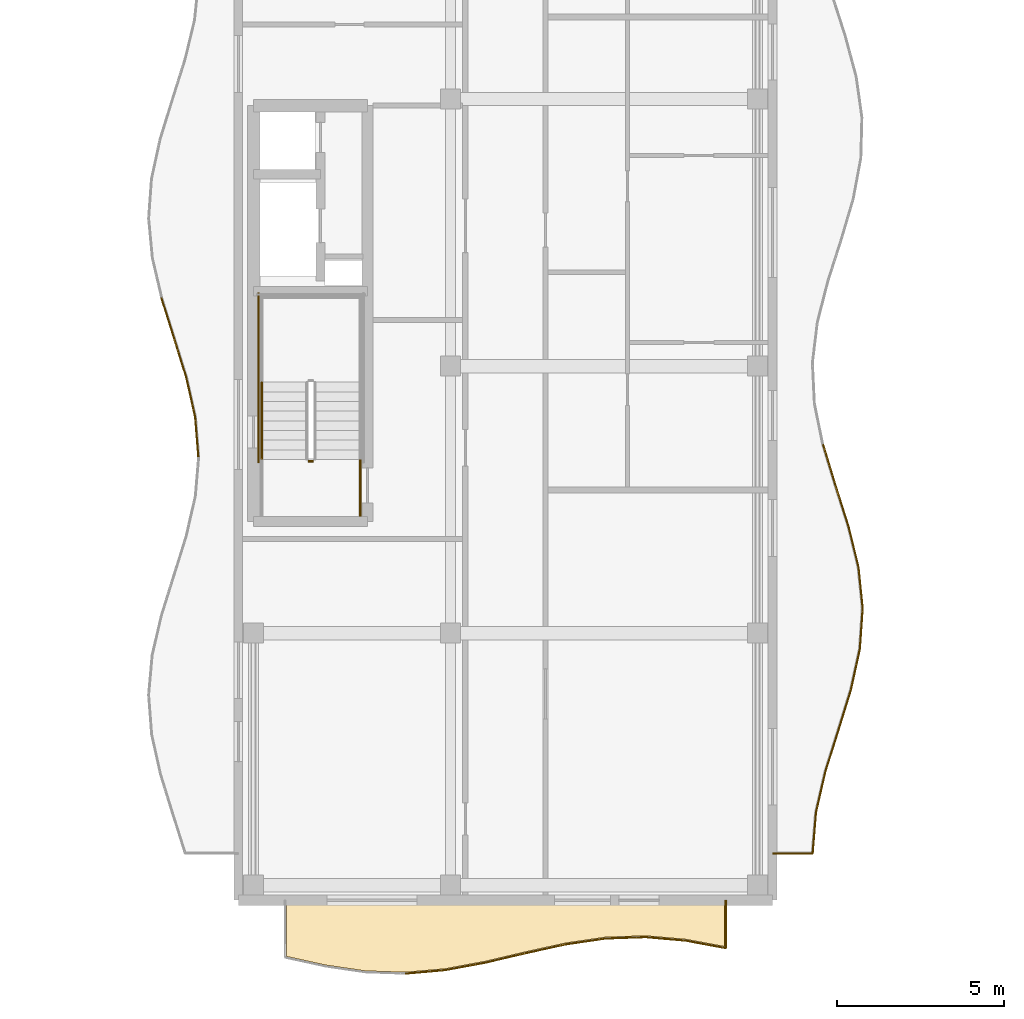
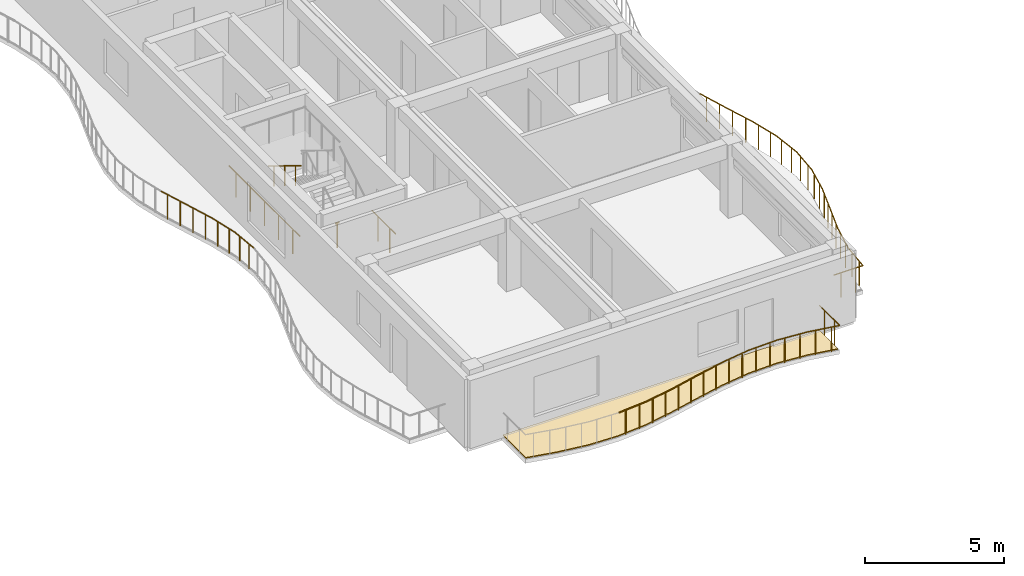
# One storey, part 50 of 72: 28 railings, 1 covering.
"""IFC4 building model written with IfcOpenShell, lengths in metres."""

from ifc_helpers import new_model, si_unit, direction, frame, origin, origin_2d, place, context, subcontext, project, spatial, polyline, circle, outline, extrude, material, layer, layer_set, type_object, element, save


model = new_model("IFC4")

# Units and contexts
model_context = context("Model", 3, precision=1e-05, world=origin(), true_north=direction((0.0, 1.0)))
body_context = subcontext(model_context, "Body", "Model", "MODEL_VIEW")
ifc_project = project(units=[si_unit("LENGTHUNIT", "METRE"), si_unit("AREAUNIT", "SQUARE_METRE"), si_unit("VOLUMEUNIT", "CUBIC_METRE"), si_unit("PLANEANGLEUNIT", "RADIAN"), si_unit("MASSUNIT", "GRAM", prefix="KILO")], contexts=[model_context])

# Site, building, storey
site_placement = place(None, origin())
site = spatial("IfcSite", under=ifc_project, at=site_placement, CompositionType="ELEMENT")
building_placement = place(site_placement, origin())
building = spatial("IfcBuilding", under=site, at=building_placement, Name="Keldmere Railside Commons", CompositionType="ELEMENT")
storey_placement = place(building_placement, frame((0.0, 0.0, 16.9599609375)))
storey = spatial("IfcBuildingStorey", under=building, at=storey_placement, Name="L05", CompositionType="ELEMENT", Elevation=16.9599609375)

# Railings
ifc_material_1 = material(Name="Steel F-24 (S235)", Category="steel")
railing_type_1 = type_object("IfcRailingType", Name="Balcony & Terrace Steel Balustrade 1100", PredefinedType="BALUSTRADE", material=ifc_material_1)
railing_1_placement = place(storey_placement, frame((64.0, 57.39990234375, 0.0)))
element("IfcRailing", 1, at=railing_1_placement, inside=storey, type_object=railing_type_1, Name="GR-1 GRD-L05-1341", PredefinedType="BALUSTRADE", context=body_context, shape_type="SweptSolid", body=[
    extrude(circle(Radius=0.02392578125, at=origin_2d()), frame((0.0, 0.0, 1.076171875), z_axis=(1.0, 0.0, 0.0), x_axis=(0.0, 1.0, 0.0)), (0.0, 0.0, 1.0), 1.2001953125),
    extrude(circle(Radius=0.02099609375, at=origin_2d()), frame((0.300048828125, 0.0, 0.0)), (0.0, 0.0, 1.0), 1.048095703125),
    extrude(circle(Radius=0.02099609375, at=origin_2d()), frame((0.900146484375, 0.0, 0.0)), (0.0, 0.0, 1.0), 1.048095703125),
])
railing_2_placement = place(storey_placement, frame((65.2001953125, 57.39990234375, 0.0)))
element("IfcRailing", 2, at=railing_2_placement, inside=storey, type_object=railing_type_1, Name="GR-1 GRD-L05-1342", PredefinedType="BALUSTRADE", context=body_context, shape_type="SweptSolid", body=[
    extrude(circle(Radius=0.02392578125, at=origin_2d()), frame((0.0, 0.0, 1.076171875), z_axis=(0.08103986276, 0.996710861105, 0.0), x_axis=(-0.996710861105, 0.08103986276, 0.0)), (0.0, 0.0, 1.0), 1.229248046875),
    extrude(circle(Radius=0.02099609375, at=origin_2d()), frame((0.02490234375, 0.30615234375, 0.0)), (0.0, 0.0, 1.0), 1.048095703125),
    extrude(circle(Radius=0.02099609375, at=origin_2d()), frame((0.07470703125, 0.9189453125, 0.0)), (0.0, 0.0, 1.0), 1.048095703125),
])
railing_3_placement = place(storey_placement, frame((65.2998046875, 58.625, 0.0)))
element("IfcRailing", 3, at=railing_3_placement, inside=storey, type_object=railing_type_1, Name="GR-1 GRD-L05-1343", PredefinedType="BALUSTRADE", context=body_context, shape_type="SweptSolid", body=[
    extrude(circle(Radius=0.02392578125, at=origin_2d()), frame((0.0, 0.0, 1.076171875), z_axis=(0.223752905703, 0.97464590349, 0.0), x_axis=(-0.97464590349, 0.223752905703, 0.0)), (0.0, 0.0, 1.0), 1.257080078125),
    extrude(circle(Radius=0.02099609375, at=origin_2d()), frame((0.0703125, 0.30615234375, 0.0)), (0.0, 0.0, 1.0), 1.048095703125),
    extrude(circle(Radius=0.02099609375, at=origin_2d()), frame((0.2109375, 0.9189453125, 0.0)), (0.0, 0.0, 1.0), 1.048095703125),
])
railing_4_placement = place(storey_placement, frame((65.5810546875, 59.85009765625, 0.0)))
element("IfcRailing", 4, at=railing_4_placement, inside=storey, type_object=railing_type_1, Name="GR-1 GRD-L05-1344", PredefinedType="BALUSTRADE", context=body_context, shape_type="SweptSolid", body=[
    extrude(circle(Radius=0.02392578125, at=origin_2d()), frame((0.0, 0.0, 1.076171875), z_axis=(0.299346864376, 0.954144357416, 0.0), x_axis=(-0.954144357416, 0.299346864376, 0.0)), (0.0, 0.0, 1.0), 1.28369140625),
    extrude(circle(Radius=0.02099609375, at=origin_2d()), frame((0.09619140625, 0.30615234375, 0.0)), (0.0, 0.0, 1.0), 1.048095703125),
    extrude(circle(Radius=0.02099609375, at=origin_2d()), frame((0.2880859375, 0.918701171875, 0.0)), (0.0, 0.0, 1.0), 1.048095703125),
])
railing_5_placement = place(storey_placement, frame((65.96533203125, 61.074951171875, 0.0)))
element("IfcRailing", 5, at=railing_5_placement, inside=storey, type_object=railing_type_1, Name="GR-1 GRD-L05-1345", PredefinedType="BALUSTRADE", context=body_context, shape_type="SweptSolid", body=[
    extrude(circle(Radius=0.02392578125, at=origin_2d()), frame((0.0, 0.0, 1.076171875), z_axis=(0.296171704763, 0.955134713691, 0.0), x_axis=(-0.955134713691, 0.296171704763, 0.0)), (0.0, 0.0, 1.0), 1.28271484375),
    extrude(circle(Radius=0.02099609375, at=origin_2d()), frame((0.094970703125, 0.30615234375, 0.0)), (0.0, 0.0, 1.0), 1.048095703125),
    extrude(circle(Radius=0.02099609375, at=origin_2d()), frame((0.284912109375, 0.9189453125, 0.0)), (0.0, 0.0, 1.0), 1.048095703125),
])
railing_6_placement = place(storey_placement, frame((66.34521484375, 62.300048828125, 0.0)))
element("IfcRailing", 6, at=railing_6_placement, inside=storey, type_object=railing_type_1, Name="GR-1 GRD-L05-1346", PredefinedType="BALUSTRADE", context=body_context, shape_type="SweptSolid", body=[
    extrude(circle(Radius=0.02392578125, at=origin_2d()), frame((0.0, 0.0, 1.076171875), z_axis=(0.214910058716, 0.976633844725, 0.0), x_axis=(-0.976633844725, 0.214910058716, 0.0)), (0.0, 0.0, 1.0), 1.254150390625),
    extrude(circle(Radius=0.02099609375, at=origin_2d()), frame((0.0673828125, 0.30615234375, 0.0)), (0.0, 0.0, 1.0), 1.048095703125),
    extrude(circle(Radius=0.02099609375, at=origin_2d()), frame((0.2021484375, 0.918701171875, 0.0)), (0.0, 0.0, 1.0), 1.048095703125),
])
railing_7_placement = place(storey_placement, frame((66.61474609375, 63.52490234375, 0.0)))
element("IfcRailing", 7, at=railing_7_placement, inside=storey, type_object=railing_type_1, Name="GR-1 GRD-L05-1347", PredefinedType="BALUSTRADE", context=body_context, shape_type="SweptSolid", body=[
    extrude(circle(Radius=0.02392578125, at=origin_2d()), frame((0.0, 0.0, 1.076171875), z_axis=(0.068590571592, 0.997644893481, 0.0), x_axis=(-0.997644893481, 0.068590571592, 0.0)), (0.0, 0.0, 1.0), 1.22802734375),
    extrude(circle(Radius=0.02099609375, at=origin_2d()), frame((0.02099609375, 0.30615234375, 0.0)), (0.0, 0.0, 1.0), 1.048095703125),
    extrude(circle(Radius=0.02099609375, at=origin_2d()), frame((0.063232421875, 0.9189453125, 0.0)), (0.0, 0.0, 1.0), 1.048095703125),
])
railing_8_placement = place(storey_placement, frame((66.698974609375, 64.75, 0.0)))
element("IfcRailing", 8, at=railing_8_placement, inside=storey, type_object=railing_type_1, Name="GR-1 GRD-L05-1348", PredefinedType="BALUSTRADE", context=body_context, shape_type="SweptSolid", body=[
    extrude(circle(Radius=0.02392578125, at=origin_2d()), frame((0.0, 0.0, 1.076171875), z_axis=(-0.101309462912, 0.994854960647, 0.0), x_axis=(-0.994854960647, -0.101309462912, 0.0)), (0.0, 0.0, 1.0), 1.2314453125),
    extrude(circle(Radius=0.02099609375, at=origin_2d()), frame((-0.03125, 0.30615234375, 0.0)), (0.0, 0.0, 1.0), 1.048095703125),
    extrude(circle(Radius=0.02099609375, at=origin_2d()), frame((-0.093505859375, 0.9189453125, 0.0)), (0.0, 0.0, 1.0), 1.048095703125),
])
railing_9_placement = place(storey_placement, frame((66.57421875, 65.97509765625, 0.0)))
element("IfcRailing", 9, at=railing_9_placement, inside=storey, type_object=railing_type_1, Name="GR-1 GRD-L05-1349", PredefinedType="BALUSTRADE", context=body_context, shape_type="SweptSolid", body=[
    extrude(circle(Radius=0.02392578125, at=origin_2d()), frame((0.0, 0.0, 1.076171875), z_axis=(-0.237018588952, 0.97150511501, 0.0), x_axis=(-0.97150511501, -0.237018588952, 0.0)), (0.0, 0.0, 1.0), 1.2607421875),
    extrude(circle(Radius=0.02099609375, at=origin_2d()), frame((-0.07470703125, 0.30615234375, 0.0)), (0.0, 0.0, 1.0), 1.048095703125),
    extrude(circle(Radius=0.02099609375, at=origin_2d()), frame((-0.22412109375, 0.918701171875, 0.0)), (0.0, 0.0, 1.0), 1.048095703125),
])
railing_10_placement = place(storey_placement, frame((66.275390625, 67.199951171875, 0.0)))
element("IfcRailing", 10, at=railing_10_placement, inside=storey, type_object=railing_type_1, Name="GR-1 GRD-L05-1350", PredefinedType="BALUSTRADE", context=body_context, shape_type="SweptSolid", body=[
    extrude(circle(Radius=0.02392578125, at=origin_2d()), frame((0.0, 0.0, 1.076171875), z_axis=(-0.303093914538, 0.952960691199, 0.0), x_axis=(-0.952960691199, -0.303093914538, 0.0)), (0.0, 0.0, 1.0), 1.28564453125),
    extrude(circle(Radius=0.02099609375, at=origin_2d()), frame((-0.097412109375, 0.30615234375, 0.0)), (0.0, 0.0, 1.0), 1.048095703125),
    extrude(circle(Radius=0.02099609375, at=origin_2d()), frame((-0.292236328125, 0.9189453125, 0.0)), (0.0, 0.0, 1.0), 1.048095703125),
])
railing_11_placement = place(storey_placement, frame((65.8857421875, 68.425048828125, 0.0)))
element("IfcRailing", 11, at=railing_11_placement, inside=storey, type_object=railing_type_1, Name="GR-1 GRD-L05-1351", PredefinedType="BALUSTRADE", context=body_context, shape_type="SweptSolid", body=[
    extrude(circle(Radius=0.02392578125, at=origin_2d()), frame((0.0, 0.0, 1.076171875), z_axis=(-0.290478485153, 0.956881523316, 0.0), x_axis=(-0.956881523316, -0.290478485153, 0.0)), (0.0, 0.0, 1.0), 1.280029296875),
    extrude(circle(Radius=0.02099609375, at=origin_2d()), frame((-0.093017578125, 0.30615234375, 0.0)), (0.0, 0.0, 1.0), 1.048095703125),
    extrude(circle(Radius=0.02099609375, at=origin_2d()), frame((-0.27880859375, 0.918701171875, 0.0)), (0.0, 0.0, 1.0), 1.048095703125),
])
railing_12_placement = place(storey_placement, frame((46.800048828125, 69.288818359375, 0.0)))
element("IfcRailing", 12, at=railing_12_placement, inside=storey, type_object=railing_type_1, Name="GR-1 GRD-L05-1378", PredefinedType="BALUSTRADE", context=body_context, shape_type="SweptSolid", body=[
    extrude(circle(Radius=0.02392578125, at=origin_2d()), frame((0.0, 0.0, 1.076171875), z_axis=(-0.080233313246, 0.996776110993, 0.0), x_axis=(-0.996776110993, -0.080233313246, 0.0)), (0.0, 0.0, 1.0), 1.19287109375),
    extrude(circle(Radius=0.02099609375, at=origin_2d()), frame((-0.02392578125, 0.29736328125, 0.0)), (0.0, 0.0, 1.0), 1.048095703125),
    extrude(circle(Radius=0.02099609375, at=origin_2d()), frame((-0.07177734375, 0.8916015625, 0.0)), (0.0, 0.0, 1.0), 1.048095703125),
])
railing_13_placement = place(storey_placement, frame((46.704345703125, 70.477783203125, 0.0)))
element("IfcRailing", 13, at=railing_13_placement, inside=storey, type_object=railing_type_1, Name="GR-1 GRD-L05-1379", PredefinedType="BALUSTRADE", context=body_context, shape_type="SweptSolid", body=[
    extrude(circle(Radius=0.02392578125, at=origin_2d()), frame((0.0, 0.0, 1.076171875), z_axis=(-0.219750522335, 0.975556101889, 0.0), x_axis=(-0.975556101889, -0.219750522335, 0.0)), (0.0, 0.0, 1.0), 1.21875),
    extrude(circle(Radius=0.02099609375, at=origin_2d()), frame((-0.06689453125, 0.29736328125, 0.0)), (0.0, 0.0, 1.0), 1.048095703125),
    extrude(circle(Radius=0.02099609375, at=origin_2d()), frame((-0.200927734375, 0.8916015625, 0.0)), (0.0, 0.0, 1.0), 1.048095703125),
])
railing_14_placement = place(storey_placement, frame((46.4365234375, 71.666748046875, 0.0)))
element("IfcRailing", 14, at=railing_14_placement, inside=storey, type_object=railing_type_1, Name="GR-1 GRD-L05-1380", PredefinedType="BALUSTRADE", context=body_context, shape_type="SweptSolid", body=[
    extrude(circle(Radius=0.02392578125, at=origin_2d()), frame((0.0, 0.0, 1.076171875), z_axis=(-0.296867904093, 0.954918555438, 0.0), x_axis=(-0.954918555438, -0.296867904093, 0.0)), (0.0, 0.0, 1.0), 1.2451171875),
    extrude(circle(Radius=0.02099609375, at=origin_2d()), frame((-0.09228515625, 0.29736328125, 0.0)), (0.0, 0.0, 1.0), 1.048095703125),
    extrude(circle(Radius=0.02099609375, at=origin_2d()), frame((-0.27734375, 0.8916015625, 0.0)), (0.0, 0.0, 1.0), 1.048095703125),
])
railing_15_placement = place(storey_placement, frame((46.06689453125, 72.855712890625, 0.0)))
element("IfcRailing", 15, at=railing_15_placement, inside=storey, type_object=railing_type_1, Name="GR-1 GRD-L05-1381", PredefinedType="BALUSTRADE", context=body_context, shape_type="SweptSolid", body=[
    extrude(circle(Radius=0.02392578125, at=origin_2d()), frame((0.0, 0.0, 1.076171875), z_axis=(-0.299959053352, 0.953952077576, 0.0), x_axis=(-0.953952077576, -0.299959053352, 0.0)), (0.0, 0.0, 1.0), 1.24609375),
    extrude(circle(Radius=0.02099609375, at=origin_2d()), frame((-0.093505859375, 0.297119140625, 0.0)), (0.0, 0.0, 1.0), 1.048095703125),
    extrude(circle(Radius=0.02099609375, at=origin_2d()), frame((-0.2802734375, 0.8916015625, 0.0)), (0.0, 0.0, 1.0), 1.048095703125),
])
railing_16_placement = place(storey_placement, frame((53.0, 53.8037109375, 0.0)))
element("IfcRailing", 16, at=railing_16_placement, inside=storey, type_object=railing_type_1, Name="GR-1 GRD-L05-1426", PredefinedType="BALUSTRADE", context=body_context, shape_type="SweptSolid", body=[
    extrude(circle(Radius=0.02392578125, at=origin_2d()), frame((0.0, 0.0, 1.076171875), z_axis=(0.996177199799, 0.087355518436, 0.0), x_axis=(-0.087355518436, 0.996177199799, 0.0)), (0.0, 0.0, 1.0), 1.20458984375),
    extrude(circle(Radius=0.02099609375, at=origin_2d()), frame((0.300048828125, 0.0263671875, 0.0)), (0.0, 0.0, 1.0), 1.048095703125),
    extrude(circle(Radius=0.02099609375, at=origin_2d()), frame((0.89990234375, 0.078857421875, 0.0)), (0.0, 0.0, 1.0), 1.048095703125),
])
railing_17_placement = place(storey_placement, frame((54.199951171875, 53.908935546875, 0.0)))
element("IfcRailing", 17, at=railing_17_placement, inside=storey, type_object=railing_type_1, Name="GR-1 GRD-L05-1427", PredefinedType="BALUSTRADE", context=body_context, shape_type="SweptSolid", body=[
    extrude(circle(Radius=0.02392578125, at=origin_2d()), frame((0.0, 0.0, 1.076171875), z_axis=(0.983109131171, 0.183020316383, 0.0), x_axis=(-0.183020316383, 0.983109131171, 0.0)), (0.0, 0.0, 1.0), 1.220458984375),
    extrude(circle(Radius=0.02099609375, at=origin_2d()), frame((0.300048828125, 0.055908203125, 0.0)), (0.0, 0.0, 1.0), 1.048095703125),
    extrude(circle(Radius=0.02099609375, at=origin_2d()), frame((0.89990234375, 0.16748046875, 0.0)), (0.0, 0.0, 1.0), 1.048095703125),
])
railing_18_placement = place(storey_placement, frame((55.39990234375, 54.13232421875, 0.0)))
element("IfcRailing", 18, at=railing_18_placement, inside=storey, type_object=railing_type_1, Name="GR-1 GRD-L05-1428", PredefinedType="BALUSTRADE", context=body_context, shape_type="SweptSolid", body=[
    extrude(circle(Radius=0.02392578125, at=origin_2d()), frame((0.0, 0.0, 1.076171875), z_axis=(0.973536505769, 0.228531555667, 0.0), x_axis=(-0.228531555667, 0.973536505769, 0.0)), (0.0, 0.0, 1.0), 1.23291015625),
    extrude(circle(Radius=0.02099609375, at=origin_2d()), frame((0.300048828125, 0.0703125, 0.0)), (0.0, 0.0, 1.0), 1.048095703125),
    extrude(circle(Radius=0.02099609375, at=origin_2d()), frame((0.900146484375, 0.21142578125, 0.0)), (0.0, 0.0, 1.0), 1.048095703125),
])
railing_19_placement = place(storey_placement, frame((56.60009765625, 54.4140625, 0.0)))
element("IfcRailing", 19, at=railing_19_placement, inside=storey, type_object=railing_type_1, Name="GR-1 GRD-L05-1429", PredefinedType="BALUSTRADE", context=body_context, shape_type="SweptSolid", body=[
    extrude(circle(Radius=0.02392578125, at=origin_2d()), frame((0.0, 0.0, 1.076171875), z_axis=(0.976531762765, 0.215373434555, 0.0), x_axis=(-0.215373434555, 0.976531762765, 0.0)), (0.0, 0.0, 1.0), 1.228759765625),
    extrude(circle(Radius=0.02099609375, at=origin_2d()), frame((0.300048828125, 0.066162109375, 0.0)), (0.0, 0.0, 1.0), 1.048095703125),
    extrude(circle(Radius=0.02099609375, at=origin_2d()), frame((0.89990234375, 0.198486328125, 0.0)), (0.0, 0.0, 1.0), 1.048095703125),
])
railing_20_placement = place(storey_placement, frame((57.800048828125, 54.6787109375, 0.0)))
element("IfcRailing", 20, at=railing_20_placement, inside=storey, type_object=railing_type_1, Name="GR-1 GRD-L05-1430", PredefinedType="BALUSTRADE", context=body_context, shape_type="SweptSolid", body=[
    extrude(circle(Radius=0.02392578125, at=origin_2d()), frame((0.0, 0.0, 1.076171875), z_axis=(0.989382133405, 0.145337517867, 0.0), x_axis=(-0.145337517867, 0.989382133405, 0.0)), (0.0, 0.0, 1.0), 1.212890625),
    extrude(circle(Radius=0.02099609375, at=origin_2d()), frame((0.300048828125, 0.0439453125, 0.0)), (0.0, 0.0, 1.0), 1.048095703125),
    extrude(circle(Radius=0.02099609375, at=origin_2d()), frame((0.89990234375, 0.13232421875, 0.0)), (0.0, 0.0, 1.0), 1.048095703125),
])
railing_21_placement = place(storey_placement, frame((59.0, 54.85498046875, 0.0)))
element("IfcRailing", 21, at=railing_21_placement, inside=storey, type_object=railing_type_1, Name="GR-1 GRD-L05-1431", PredefinedType="BALUSTRADE", context=body_context, shape_type="SweptSolid", body=[
    extrude(circle(Radius=0.02392578125, at=origin_2d()), frame((0.0, 0.0, 1.076171875), z_axis=(0.999409375472, 0.03436422878, 0.0), x_axis=(-0.03436422878, 0.999409375472, 0.0)), (0.0, 0.0, 1.0), 1.20068359375),
    extrude(circle(Radius=0.02099609375, at=origin_2d()), frame((0.300048828125, 0.01025390625, 0.0)), (0.0, 0.0, 1.0), 1.048095703125),
    extrude(circle(Radius=0.02099609375, at=origin_2d()), frame((0.89990234375, 0.031005859375, 0.0)), (0.0, 0.0, 1.0), 1.048095703125),
])
railing_22_placement = place(storey_placement, frame((60.199951171875, 54.896240234375, 0.0)))
element("IfcRailing", 22, at=railing_22_placement, inside=storey, type_object=railing_type_1, Name="GR-1 GRD-L05-1432", PredefinedType="BALUSTRADE", context=body_context, shape_type="SweptSolid", body=[
    extrude(circle(Radius=0.02392578125, at=origin_2d()), frame((0.0, 0.0, 1.076171875), z_axis=(0.996177199799, -0.087355518436, 0.0), x_axis=(0.087355518436, 0.996177199799, 0.0)), (0.0, 0.0, 1.0), 1.20458984375),
    extrude(circle(Radius=0.02099609375, at=origin_2d()), frame((0.300048828125, -0.0263671875, 0.0)), (0.0, 0.0, 1.0), 1.048095703125),
    extrude(circle(Radius=0.02099609375, at=origin_2d()), frame((0.89990234375, -0.078857421875, 0.0)), (0.0, 0.0, 1.0), 1.048095703125),
])
railing_23_placement = place(storey_placement, frame((61.39990234375, 54.791015625, 0.0)))
element("IfcRailing", 23, at=railing_23_placement, inside=storey, type_object=railing_type_1, Name="GR-1 GRD-L05-1433", PredefinedType="BALUSTRADE", context=body_context, shape_type="SweptSolid", body=[
    extrude(circle(Radius=0.02392578125, at=origin_2d()), frame((0.0, 0.0, 1.076171875), z_axis=(0.983115829226, -0.182984333552, 0.0), x_axis=(0.182984333552, 0.983115829226, 0.0)), (0.0, 0.0, 1.0), 1.220703125),
    extrude(circle(Radius=0.02099609375, at=origin_2d()), frame((0.300048828125, -0.055908203125, 0.0)), (0.0, 0.0, 1.0), 1.048095703125),
    extrude(circle(Radius=0.02099609375, at=origin_2d()), frame((0.900146484375, -0.16748046875, 0.0)), (0.0, 0.0, 1.0), 1.048095703125),
])
railing_24_placement = place(storey_placement, frame((62.60009765625, 54.567626953125, 0.0)))
element("IfcRailing", 24, at=railing_24_placement, inside=storey, type_object=railing_type_1, Name="GR-1 GRD-L05-1434", PredefinedType="BALUSTRADE", context=body_context, shape_type="SweptSolid", body=[
    extrude(circle(Radius=0.02392578125, at=origin_2d()), frame((0.0, 0.0, 1.076171875), z_axis=(0.0, 1.0, 0.0), x_axis=(-1.0, 0.0, 0.0)), (0.0, 0.0, 1.0), 1.432373046875),
    extrude(circle(Radius=0.02099609375, at=origin_2d()), frame((0.0, 0.358154296875, 0.0)), (0.0, 0.0, 1.0), 1.048095703125),
    extrude(circle(Radius=0.02099609375, at=origin_2d()), frame((0.0, 1.07421875, 0.0)), (0.0, 0.0, 1.0), 1.048095703125),
])
railing_type_2 = type_object("IfcRailingType", Name="Stair Well Steel Guardrail 1100", PredefinedType="BALUSTRADE", material=ifc_material_1)
railing_25_placement = place(storey_placement, frame((50.25, 69.14990234375, 0.0)))
element("IfcRailing", 25, at=railing_25_placement, inside=storey, type_object=railing_type_2, Name="L05 ST-C1 stair guard 7", PredefinedType="BALUSTRADE", context=body_context, shape_type="SweptSolid", body=[
    extrude(circle(Radius=0.02392578125, at=origin_2d()), frame((0.0, 0.0, 1.076171875), z_axis=(-1.0, 0.0, 0.0), x_axis=(0.0, -1.0, 0.0)), (0.0, 0.0, 1.0), 0.14990234375),
    extrude(circle(Radius=0.02099609375, at=origin_2d()), frame((-0.074951171875, 0.0, 0.0)), (0.0, 0.0, 1.0), 1.048095703125),
])
railing_26_placement = place(storey_placement, frame((51.64990234375, 67.5, 0.0)))
element("IfcRailing", 26, at=railing_26_placement, inside=storey, type_object=railing_type_2, Name="L05 ST-C1 stair guard 8", PredefinedType="BALUSTRADE", context=body_context, shape_type="SweptSolid", body=[
    extrude(circle(Radius=0.02392578125, at=origin_2d()), frame((0.0, 0.0, 1.076171875), z_axis=(0.0, 1.0, 0.0), x_axis=(-1.0, 0.0, 0.0)), (0.0, 0.0, 1.0), 1.699951171875),
    extrude(circle(Radius=0.02099609375, at=origin_2d()), frame((0.0, 0.425048828125, 0.0)), (0.0, 0.0, 1.0), 1.048095703125),
    extrude(circle(Radius=0.02099609375, at=origin_2d()), frame((0.0, 1.27490234375, 0.0)), (0.0, 0.0, 1.0), 1.048095703125),
])
railing_27_placement = place(storey_placement, frame((48.60009765625, 69.10009765625, 0.0)))
element("IfcRailing", 27, at=railing_27_placement, inside=storey, type_object=railing_type_2, Name="L05 ST-C1 stair guard 11", PredefinedType="BALUSTRADE", context=body_context, shape_type="SweptSolid", body=[
    extrude(circle(Radius=0.02392578125, at=origin_2d()), frame((0.0, 0.0, 1.076171875), z_axis=(0.0, 1.0, 0.0), x_axis=(-1.0, 0.0, 0.0)), (0.0, 0.0, 1.0), 5.099853515625),
    extrude(circle(Radius=0.02099609375, at=origin_2d()), frame((0.0, 0.510009765625, 0.0)), (0.0, 0.0, 1.0), 1.048095703125),
    extrude(circle(Radius=0.02099609375, at=origin_2d()), frame((0.0, 1.530029296875, 0.0)), (0.0, 0.0, 1.0), 1.048095703125),
    extrude(circle(Radius=0.02099609375, at=origin_2d()), frame((0.0, 2.5498046875, 0.0)), (0.0, 0.0, 1.0), 1.048095703125),
    extrude(circle(Radius=0.02099609375, at=origin_2d()), frame((0.0, 3.56982421875, 0.0)), (0.0, 0.0, 1.0), 1.048095703125),
    extrude(circle(Radius=0.02099609375, at=origin_2d()), frame((0.0, 4.58984375, 0.0)), (0.0, 0.0, 1.0), 1.048095703125),
])
railing_type_3 = type_object("IfcRailingType", Name="Wall-Mounted Tubular Steel Handrail 900", PredefinedType="HANDRAIL", material=ifc_material_1)
railing_28_placement = place(storey_placement, frame((48.699951171875, 71.52001953125, 1.77783203125)))
element("IfcRailing", 28, at=railing_28_placement, inside=storey, type_object=railing_type_3, Name="L05 ST-C1 stair handrail 2", PredefinedType="HANDRAIL", context=body_context, shape_type="SweptSolid", body=[
    extrude(circle(Radius=0.02392578125, at=origin_2d()), frame((0.0, 0.0, 0.8759765625), z_axis=(0.0, -0.852578041948, 0.522599925744), x_axis=(1.0, 0.0, 0.0)), (0.0, 0.0, 1.0), 2.72119140625),
    extrude(circle(Radius=0.02099609375, at=origin_2d()), frame((0.0, -0.38671875, 0.237060546875)), (0.0, 0.0, 1.0), 0.847900390625),
    extrude(circle(Radius=0.02099609375, at=origin_2d()), frame((0.0, -1.16015625, 0.7109375)), (0.0, 0.0, 1.0), 0.847900390625),
    extrude(circle(Radius=0.02099609375, at=origin_2d()), frame((0.0, -1.933349609375, 1.18505859375)), (0.0, 0.0, 1.0), 0.847900390625),
])

# Covering
ifc_material_2 = material(Name="White Precast Concrete C35/45", Category="concrete")
ifc_layer = layer(ifc_material_2, 0.044921875, Name="White Architectural Balcony Ribbon Cladding 45")
ifc_layer_set = layer_set([ifc_layer], Name="White Precast Concrete C35/45")
covering_type = type_object("IfcCoveringType", Name="White Architectural Balcony Ribbon Cladding 45", PredefinedType="FLOORING", material=ifc_layer_set)
covering_placement = place(storey_placement, origin())
element("IfcCovering", 29, at=covering_placement, inside=storey, type_object=covering_type, Name="CLG-WB C L05 S White Balcony Ribbon", PredefinedType="FLOORING", context=body_context, shape_type="SweptSolid", body=[
    extrude(outline(polyline([(50.607177734375, 54.060791015625), (51.8037109375, 53.884765625), (52.998779296875, 53.84375), (54.194580078125, 53.94873046875), (55.391845703125, 54.171630859375), (56.5908203125, 54.452880859375), (56.59130859375, 54.453125), (57.79150390625, 54.7177734375), (57.794189453125, 54.71826171875), (58.994140625, 54.894775390625), (58.99853515625, 54.89501953125), (60.198486328125, 54.936279296875), (60.20361328125, 54.93603515625), (61.403564453125, 54.830810546875), (61.4072265625, 54.830322265625), (62.56005859375, 54.61572265625), (62.56005859375, 55.9599609375), (49.43994140625, 55.9599609375), (49.43994140625, 54.318115234375), (50.607177734375, 54.060791015625)])), origin(), (0.0, 0.0, 1.0), 0.044921875),
])

save(model, "model.ifc")
